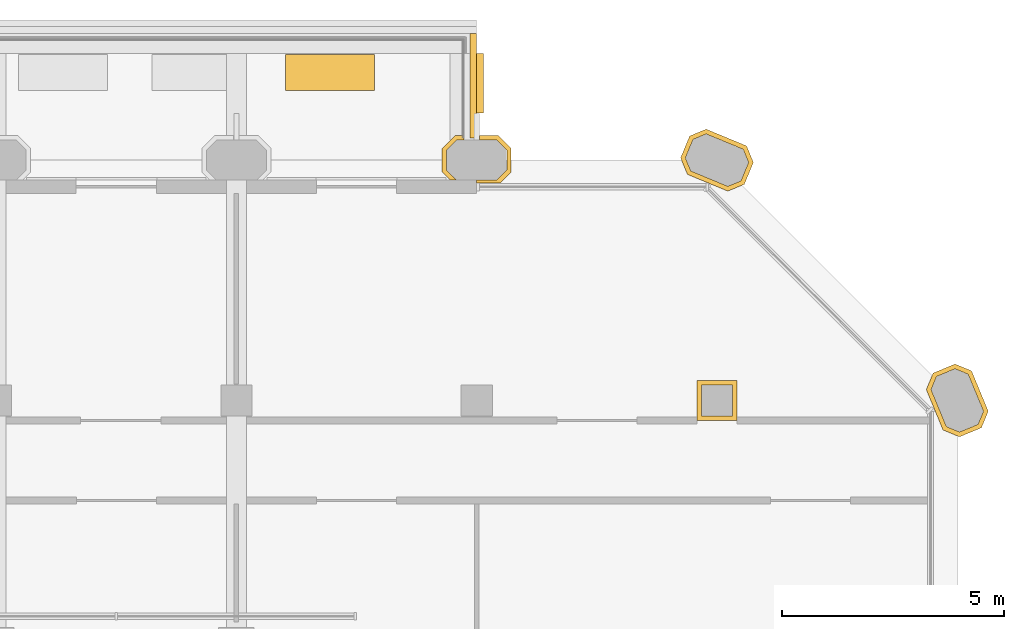
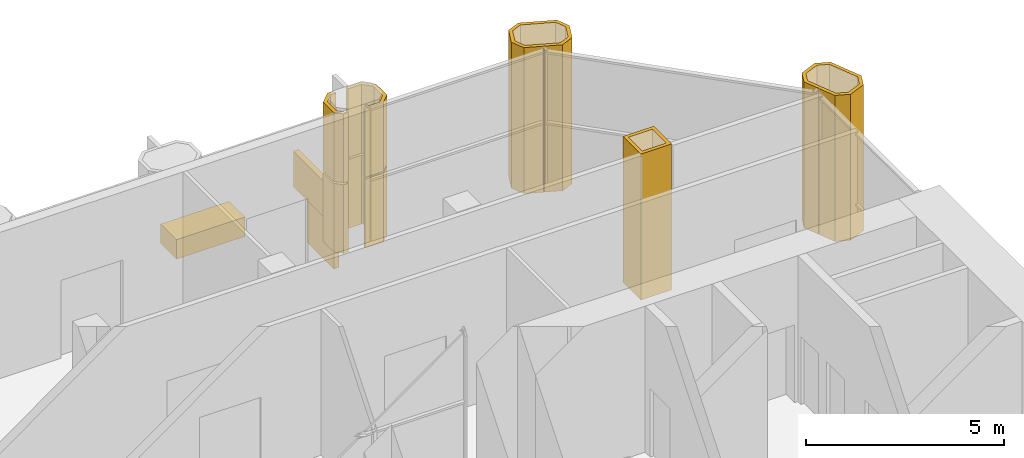
# One storey, part 13 of 13: 10 coverings.
"""IFC4 building model written with IfcOpenShell, lengths in metres."""

from ifc_helpers import new_model, si_unit, direction, frame, frame_2d, origin, origin_2d, place, context, subcontext, project, spatial, polyline, rectangle, outline, extrude, material, layer, layer_set, type_object, element, save


model = new_model("IFC4")

# Units and contexts
model_context = context("Model", 3, precision=1e-05, world=origin(), true_north=direction((0.0, 1.0)))
body_context = subcontext(model_context, "Body", "Model", "MODEL_VIEW")
ifc_project = project(units=[si_unit("LENGTHUNIT", "METRE"), si_unit("AREAUNIT", "SQUARE_METRE"), si_unit("VOLUMEUNIT", "CUBIC_METRE"), si_unit("PLANEANGLEUNIT", "RADIAN"), si_unit("MASSUNIT", "GRAM", prefix="KILO")], contexts=[model_context])

# Site, building, storey
site_placement = place(None, origin())
site = spatial("IfcSite", under=ifc_project, at=site_placement, CompositionType="ELEMENT")
building_placement = place(site_placement, origin())
building = spatial("IfcBuilding", under=site, at=building_placement, Name="Tabaq Tower and Sports Hall", CompositionType="ELEMENT")
storey_placement = place(building_placement, frame((0.0, 0.0, 255.699951171875)))
storey = spatial("IfcBuildingStorey", under=building, at=storey_placement, Name="L62", CompositionType="ELEMENT", Elevation=255.699951171875)

# Coverings
ifc_material_1 = material(Name="Precast concrete C60/75", Category="concrete")
ifc_layer_1 = layer(ifc_material_1, 0.10009765625)
ifc_layer_set_1 = layer_set([ifc_layer_1], Name="Column cladding 100")
covering_type_1 = type_object("IfcCoveringType", Name="Column cladding 100", PredefinedType="CLADDING", material=ifc_layer_set_1)
covering_1_placement = place(storey_placement, frame((0.0, 0.0, 0.10009765625)))
element("IfcCovering", 1, at=covering_1_placement, inside=storey, type_object=covering_type_1, Name="Column cladding L62 PC-7I-S2", PredefinedType="CLADDING", context=body_context, shape_type="SweptSolid", body=[
    extrude(outline(polyline([(32.891357421875, 43.749755859375), (33.1748046875, 43.46630859375), (33.1748046875, 42.93359375), (32.931396484375, 42.690185546875), (32.400390625, 42.690185546875), (32.400390625, 42.749755859375), (32.85009765625, 42.749755859375), (33.0751953125, 42.974853515625), (33.0751953125, 43.425048828125), (32.85009765625, 43.650390625), (32.460205078125, 43.650390625), (32.460205078125, 43.749755859375), (32.891357421875, 43.749755859375)])), origin(), (0.0, 0.0, 1.0), 2.119873046875),
])
covering_2_placement = place(storey_placement, frame((0.0, 0.0, 0.10009765625)))
element("IfcCovering", 2, at=covering_2_placement, inside=storey, type_object=covering_type_1, Name="Column cladding L62 PC-7I-S2 2", PredefinedType="CLADDING", context=body_context, shape_type="SweptSolid", body=[
    extrude(outline(polyline([(31.625244140625, 43.46630859375), (31.90869140625, 43.749755859375), (32.089599609375, 43.749755859375), (32.089599609375, 43.69970703125), (32.109619140625, 43.69970703125), (32.109619140625, 43.650390625), (31.949951171875, 43.650390625), (31.724609375, 43.425048828125), (31.724609375, 42.974853515625), (31.94921875, 42.750244140625), (31.80859375, 42.750244140625), (31.625244140625, 42.93359375), (31.625244140625, 43.46630859375)])), origin(), (0.0, 0.0, 1.0), 2.119873046875),
])
covering_3_placement = place(storey_placement, frame((0.0, 0.0, 2.280029296875)))
element("IfcCovering", 3, at=covering_3_placement, inside=storey, type_object=covering_type_1, Name="Column cladding L62 PC-7I-S2 2", PredefinedType="CLADDING", context=body_context, shape_type="SweptSolid", body=[
    extrude(outline(polyline([(32.891357421875, 43.749755859375), (33.1748046875, 43.46630859375), (33.1748046875, 42.93359375), (32.931396484375, 42.690185546875), (32.400390625, 42.690185546875), (32.400390625, 42.749755859375), (32.85009765625, 42.749755859375), (33.0751953125, 42.974853515625), (33.0751953125, 43.425048828125), (32.85009765625, 43.650390625), (32.460205078125, 43.650390625), (32.460205078125, 43.749755859375), (32.891357421875, 43.749755859375)])), origin(), (0.0, 0.0, 1.0), 2.1201171875),
])
covering_4_placement = place(storey_placement, frame((0.0, 0.0, 2.280029296875)))
element("IfcCovering", 4, at=covering_4_placement, inside=storey, type_object=covering_type_1, Name="Column cladding L62 PC-7I-S2 2 2", PredefinedType="CLADDING", context=body_context, shape_type="SweptSolid", body=[
    extrude(outline(polyline([(31.625244140625, 43.46630859375), (31.90869140625, 43.749755859375), (32.089599609375, 43.749755859375), (32.089599609375, 43.69970703125), (32.109619140625, 43.69970703125), (32.109619140625, 43.650390625), (31.949951171875, 43.650390625), (31.724609375, 43.425048828125), (31.724609375, 42.974853515625), (31.94921875, 42.750244140625), (31.80859375, 42.750244140625), (31.625244140625, 42.93359375), (31.625244140625, 43.46630859375)])), origin(), (0.0, 0.0, 1.0), 2.1201171875),
])
covering_5_placement = place(storey_placement, origin())
element("IfcCovering", 5, at=covering_5_placement, inside=storey, type_object=covering_type_1, Name="Column cladding L62 CC-8H-S2", PredefinedType="CLADDING", context=body_context, shape_type="SweptSolid", body=[
    extrude(outline(polyline([(37.350341796875, 38.249755859375), (38.249755859375, 38.249755859375), (38.249755859375, 37.350341796875), (37.350341796875, 37.350341796875), (37.350341796875, 38.249755859375)]), holes=[polyline([(38.150390625, 37.44970703125), (38.150390625, 38.150390625), (37.44970703125, 38.150390625), (37.44970703125, 37.44970703125), (38.150390625, 37.44970703125)])]), origin(), (0.0, 0.0, 1.0), 4.5),
])
covering_6_placement = place(storey_placement, origin())
element("IfcCovering", 6, at=covering_6_placement, inside=storey, type_object=covering_type_1, Name="Column cladding L62 PC-8I-S2", PredefinedType="CLADDING", context=body_context, shape_type="SweptSolid", body=[
    extrude(outline(polyline([(38.413818359375, 42.657470703125), (38.04345703125, 42.504150390625), (37.614013671875, 42.68212890625), (37.614013671875, 42.690185546875), (37.593994140625, 42.690185546875), (37.1357421875, 42.880126953125), (36.982421875, 43.25048828125), (37.186279296875, 43.742431640625), (37.556396484375, 43.895751953125), (38.46435546875, 43.519775390625), (38.61767578125, 43.149658203125), (38.413818359375, 42.657470703125)]), holes=[polyline([(37.26220703125, 43.66650390625), (37.08984375, 43.25048828125), (37.2119140625, 42.956298828125), (38.04345703125, 42.61181640625), (38.337646484375, 42.733642578125), (38.510009765625, 43.149658203125), (38.38818359375, 43.44384765625), (37.556396484375, 43.788330078125), (37.26220703125, 43.66650390625)])]), origin(), (0.0, 0.0, 1.0), 4.5),
])
covering_7_placement = place(storey_placement, origin())
element("IfcCovering", 7, at=covering_7_placement, inside=storey, type_object=covering_type_1, Name="Column cladding L62 PC-9H-S2", PredefinedType="CLADDING", context=body_context, shape_type="SweptSolid", body=[
    extrude(outline(polyline([(43.25048828125, 36.982421875), (42.880126953125, 37.1357421875), (42.690185546875, 37.593994140625), (42.690185546875, 37.614013671875), (42.68212890625, 37.614013671875), (42.504150390625, 38.04345703125), (42.657470703125, 38.413818359375), (43.149658203125, 38.61767578125), (43.519775390625, 38.46435546875), (43.895751953125, 37.556396484375), (43.742431640625, 37.186279296875), (43.25048828125, 36.982421875)]), holes=[polyline([(43.149658203125, 38.510009765625), (42.733642578125, 38.337646484375), (42.61181640625, 38.04345703125), (42.956298828125, 37.2119140625), (43.25048828125, 37.08984375), (43.66650390625, 37.26220703125), (43.788330078125, 37.556396484375), (43.44384765625, 38.38818359375), (43.149658203125, 38.510009765625)])]), origin(), (0.0, 0.0, 1.0), 4.5),
])
ifc_material_2 = material(Name="Planting soil and drainage layer")
covering_type_2 = type_object("IfcCoveringType", Name="Planter 2000x800x600", PredefinedType="USERDEFINED", material=ifc_material_2)
covering_8_placement = place(storey_placement, frame((29.10009765625, 45.169921875, 0.0), z_axis=(0.0, 0.0, 1.0), x_axis=(-1.0, 0.0, 0.0)))
element("IfcCovering", 8, at=covering_8_placement, inside=storey, type_object=covering_type_2, Name="Planter L62", ObjectType="PLANTER", PredefinedType="USERDEFINED", context=body_context, shape_type="SweptSolid", body=[
    extrude(rectangle(XDim=2.0, YDim=0.800048828125, at=origin_2d()), origin(), (0.0, 0.0, 1.0), 0.60009765625),
])
ifc_material_3 = material(Name="Precast concrete C60/75", Category="concrete")
ifc_layer_2 = layer(ifc_material_3, 0.14990234375)
ifc_layer_set_2 = layer_set([ifc_layer_2], Name="Tray fascia 1200")
covering_type_3 = type_object("IfcCoveringType", Name="Tray fascia 1200", PredefinedType="CLADDING", material=ifc_layer_set_2)
covering_9_placement = place(storey_placement, frame((32.47509765625, 44.260009765625, -1.5), z_axis=(0.0, 0.0, 1.0), x_axis=(0.0, 1.0, 0.0)))
element("IfcCovering", 9, at=covering_9_placement, inside=storey, type_object=covering_type_3, Name="Tray fascia L62 EBT", PredefinedType="CLADDING", context=body_context, shape_type="SweptSolid", body=[
    extrude(rectangle(XDim=1.340087890625, YDim=0.14990234375, at=frame_2d((0.669921875, 0.0))), origin(), (0.0, 0.0, 1.0), 1.5),
])
ifc_material_4 = material(Name="Precast concrete C60/75", Category="concrete")
ifc_layer_3 = layer(ifc_material_4, 0.14990234375)
ifc_layer_set_3 = layer_set([ifc_layer_3], Name="Tray upstand cladding 1100")
covering_type_4 = type_object("IfcCoveringType", Name="Tray upstand cladding 1100", PredefinedType="CLADDING", material=ifc_layer_set_3)
covering_10_placement = place(storey_placement, frame((32.324951171875, 43.699951171875, 0.0), z_axis=(0.0, 0.0, 1.0), x_axis=(0.0, 1.0, 0.0)))
element("IfcCovering", 10, at=covering_10_placement, inside=storey, type_object=covering_type_4, Name="Tray upstand cladding L62", PredefinedType="CLADDING", context=body_context, shape_type="SweptSolid", body=[
    extrude(rectangle(XDim=2.35009765625, YDim=0.14990234375, at=frame_2d((1.175048828125, 0.0))), origin(), (0.0, 0.0, 1.0), 1.10009765625),
])

save(model, "model.ifc")
